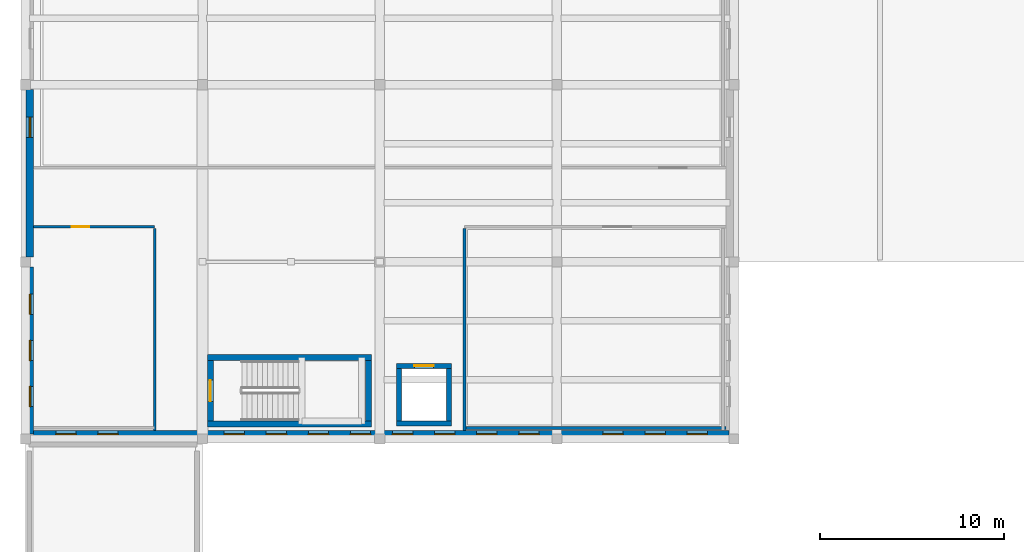
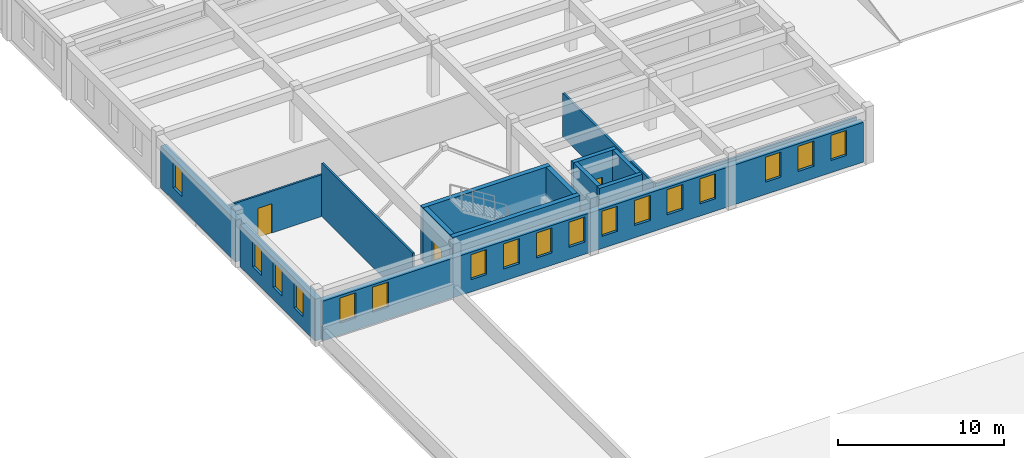
# One storey, part 15 of 46: 17 windows, 15 walls, 3 doors, 20 openings.
"""IFC4 building model written with IfcOpenShell, lengths in metres."""

from ifc_helpers import new_model, si_unit, direction, frame, frame_2d, origin, place, context, subcontext, project, spatial, rectangle, extrude, material, layer, layer_set, type_object, element, fill, save


model = new_model("IFC4")

# Units and contexts
model_context = context("Model", 3, precision=1e-05, world=origin(), true_north=direction((0.0, 1.0)))
body_context = subcontext(model_context, "Body", "Model", "MODEL_VIEW")
ifc_project = project(units=[si_unit("LENGTHUNIT", "METRE"), si_unit("AREAUNIT", "SQUARE_METRE"), si_unit("VOLUMEUNIT", "CUBIC_METRE"), si_unit("PLANEANGLEUNIT", "RADIAN"), si_unit("MASSUNIT", "GRAM", prefix="KILO")], contexts=[model_context])

# Site, building, storey
site_placement = place(None, origin())
site = spatial("IfcSite", under=ifc_project, at=site_placement, CompositionType="ELEMENT")
building_placement = place(site_placement, origin())
building = spatial("IfcBuilding", under=site, at=building_placement, Name="Tarnavel Promenade Courthouse", CompositionType="ELEMENT")
storey_placement = place(building_placement, frame((0.0, 0.0, 14.39990234375)))
storey = spatial("IfcBuildingStorey", under=building, at=storey_placement, Name="L04", CompositionType="ELEMENT", Elevation=14.39990234375)

# Walls
ifc_material_1 = material(Name="Acoustic Insulated Gypsum Stud Partition", Category="gypsum")
ifc_layer_1 = layer(ifc_material_1, 0.14990234375)
ifc_layer_set_1 = layer_set([ifc_layer_1], Name="Acoustic Insulated Gypsum Stud Partition")
wall_type_1 = type_object("IfcWallType", Name="Acoustic Insulated Gypsum Stud Partition WL-LIB-150 (150 mm)", PredefinedType="PARTITIONING", material=ifc_layer_set_1)
wall_1_placement = place(storey_placement, frame((37.9609375, 37.800048828125, 0.0), z_axis=(0.0, 0.0, 1.0), x_axis=(-1.0, 0.0, 0.0)))
element("IfcWall", 1, at=wall_1_placement, inside=storey, type_object=wall_type_1, Name="L04 Law Library Book Stacks International Treaties Partition 0613", PredefinedType="PARTITIONING", context=body_context, shape_type="SweptSolid", body=[
    extrude(rectangle(XDim=14.160888671875, YDim=0.14990234375, at=frame_2d((7.08056640625, 0.0))), origin(), (0.0, 0.0, 1.0), 3.080078125),
])
wall_2_placement = place(storey_placement, frame((23.800048828125, 37.64892578125, 0.0), z_axis=(0.0, 0.0, 1.0), x_axis=(0.0, 1.0, 0.0)))
element("IfcWall", 2, at=wall_2_placement, inside=storey, type_object=wall_type_1, Name="L04 Law Library Book Stacks International Treaties Partition 0614", PredefinedType="PARTITIONING", context=body_context, shape_type="SweptSolid", body=[
    extrude(rectangle(XDim=10.966064453125, YDim=0.14990234375, at=frame_2d((5.48291015625, 0.0))), origin(), (0.0, 0.0, 1.0), 3.22998046875),
])

# Wall, opening, door
ifc_material_2 = material(Name="Concrete C40/50", Category="concrete")
ifc_layer_2 = layer(ifc_material_2, 0.280029296875)
ifc_layer_set_2 = layer_set([ifc_layer_2], Name="Concrete C40/50")
wall_type_2 = type_object("IfcWallType", Name="Concrete C40/50 WL-SHR-280 (280 mm)", PredefinedType="SHEAR", material=ifc_layer_set_2)
wall_3_placement = place(storey_placement, frame((20.10009765625, 41.159912109375, 0.0), z_axis=(0.0, 0.0, 1.0), x_axis=(1.0, 0.0, 0.0)))
wall_3 = element("IfcWall", 3, at=wall_3_placement, inside=storey, type_object=wall_type_2, Name="L04 L-LIB1 Lift Shaft North Wall", PredefinedType="SHEAR", context=body_context, shape_type="SweptSolid", body=[
    extrude(rectangle(XDim=3.0, YDim=0.280029296875, at=frame_2d((1.5, 0.0))), origin(), (0.0, 0.0, 1.0), 3.960205078125),
])
opening_1_placement = place(wall_3_placement, frame((0.97509765625, 0.0, 0.0)))
opening_1 = element("IfcOpeningElement", 4, at=opening_1_placement, cuts=wall_3, Name="Opening LD-02", PredefinedType="OPENING", context=body_context, shape_type="SweptSolid", body=[
    extrude(rectangle(XDim=1.050048828125, YDim=2.199951171875, at=frame_2d((0.52490234375, 1.10009765625))), frame((0.0, 0.14990234375, 0.0), z_axis=(0.0, -1.0, 0.0), x_axis=(1.0, 0.0, 0.0)), (0.0, 0.0, 1.0), 0.300048828125),
])
ifc_material_3 = material(Name="Brushed Bronze Passenger Lift Landing Sliding Door")
door_type_1 = type_object("IfcDoorType", Name="Brushed Bronze Passenger Lift Landing Sliding Door (LD-PUB-1050x2200)", OperationType="NOTDEFINED", PredefinedType="DOOR", material=ifc_material_3)
door_1_placement = place(opening_1_placement, origin())
door_1 = element("IfcDoor", 5, at=door_1_placement, inside=storey, type_object=door_type_1, Name="L04 L-LIB1 Lift Sliding Landing Door", OperationType="DOUBLE_DOOR_SLIDING", OverallHeight=2.199951171875, OverallWidth=1.050048828125, PredefinedType="DOOR", context=body_context, shape_type="SweptSolid", body=[
    extrude(rectangle(XDim=1.050048828125, YDim=2.199951171875, at=frame_2d((0.52490234375, 1.10009765625))), frame((0.0, 0.02490234375, 0.0), z_axis=(0.0, -1.0, 0.0), x_axis=(1.0, 0.0, 0.0)), (0.0, 0.0, 1.0), 0.050048828125),
])
fill(opening_1, door_1)

# Walls
wall_4_placement = place(storey_placement, frame((23.10009765625, 38.0400390625, 0.0), z_axis=(0.0, 0.0, 1.0), x_axis=(-1.0, 0.0, 0.0)))
element("IfcWall", 6, at=wall_4_placement, inside=storey, type_object=wall_type_2, Name="L04 L-LIB1 Lift Shaft South Wall", PredefinedType="SHEAR", context=body_context, shape_type="SweptSolid", body=[
    extrude(rectangle(XDim=3.0, YDim=0.280029296875, at=frame_2d((1.5, 0.0))), origin(), (0.0, 0.0, 1.0), 3.960205078125),
])
for number, where, z_axis, x_axis, name in (
    (7, (20.239990234375, 38.179931640625, 0.0), (0.0, 0.0, 1.0), (0.0, 1.0, 0.0), "L04 L-LIB1 Lift Shaft West Wall"),
    (8, (22.9599609375, 41.02001953125, 0.0), (0.0, 0.0, 1.0), (0.0, -1.0, 0.0), "L04 L-LIB1 Lift Shaft East Wall"),
):
    element("IfcWall", number, at=place(storey_placement, frame(where, z_axis=z_axis, x_axis=x_axis)), inside=storey, type_object=wall_type_2, Name=name, PredefinedType="SHEAR", context=body_context, shape_type="SweptSolid", body=[
        extrude(rectangle(XDim=2.840087890625, YDim=0.280029296875, at=frame_2d((1.419921875, 0.0))), origin(), (0.0, 0.0, 1.0), 3.960205078125),
    ])
ifc_layer_3 = layer(ifc_material_2, 0.320068359375)
ifc_layer_set_3 = layer_set([ifc_layer_3], Name="Concrete C40/50")
wall_type_3 = type_object("IfcWallType", Name="Concrete C40/50 WL-SHR-320 (320 mm)", PredefinedType="SHEAR", material=ifc_layer_set_3)
for number, where, z_axis, x_axis, name in (
    (9, (9.860107421875, 41.6201171875, 0.0), (0.0, 0.0, 1.0), (1.0, 0.0, 0.0), "L04 ST-05 Shear Core North Wall"),
    (10, (18.739990234375, 38.02001953125, 0.0), (0.0, 0.0, 1.0), (-1.0, 0.0, 0.0), "L04 ST-05 Shear Core South Wall"),
):
    element("IfcWall", number, at=place(storey_placement, frame(where, z_axis=z_axis, x_axis=x_axis)), inside=storey, type_object=wall_type_3, Name=name, PredefinedType="SHEAR", context=body_context, shape_type="SweptSolid", body=[
        extrude(rectangle(XDim=8.8798828125, YDim=0.320068359375, at=frame_2d((4.43994140625, 0.0))), origin(), (0.0, 0.0, 1.0), 3.960205078125),
    ])

# Wall, opening, door
wall_5_placement = place(storey_placement, frame((10.02001953125, 38.179931640625, 0.0), z_axis=(0.0, 0.0, 1.0), x_axis=(0.0, 1.0, 0.0)))
wall_5 = element("IfcWall", 11, at=wall_5_placement, inside=storey, type_object=wall_type_3, Name="L04 ST-05 Shear Core West Landing Wall", PredefinedType="SHEAR", context=body_context, shape_type="SweptSolid", body=[
    extrude(rectangle(XDim=3.280029296875, YDim=0.320068359375, at=frame_2d((1.64013671875, 0.0))), origin(), (0.0, 0.0, 1.0), 3.960205078125),
])
opening_2_placement = place(wall_5_placement, frame((1.06494140625, 0.0, 0.0)))
opening_2 = element("IfcOpeningElement", 12, at=opening_2_placement, cuts=wall_5, Name="Opening FD-01", PredefinedType="OPENING", context=body_context, shape_type="SweptSolid", body=[
    extrude(rectangle(XDim=1.14990234375, YDim=2.199951171875, at=frame_2d((0.574951171875, 1.10009765625))), frame((0.0, 0.169921875, 0.0), z_axis=(0.0, -1.0, 0.0), x_axis=(1.0, 0.0, 0.0)), (0.0, 0.0, 1.0), 0.340087890625),
])
ifc_material_4 = material(Name="Steel Fire-Rated Stair Core Door", Category="steel")
door_type_2 = type_object("IfcDoorType", Name="Steel Fire-Rated Stair Core Door (DR-ST-1150x2200)", OperationType="NOTDEFINED", PredefinedType="DOOR", material=ifc_material_4)
door_2_placement = place(opening_2_placement, origin())
door_2 = element("IfcDoor", 13, at=door_2_placement, inside=storey, type_object=door_type_2, Name="L04 ST-05 Protected Exit Stair Door", OperationType="SINGLE_SWING_LEFT", OverallHeight=2.199951171875, OverallWidth=1.14990234375, PredefinedType="DOOR", context=body_context, shape_type="SweptSolid", body=[
    extrude(rectangle(XDim=1.14990234375, YDim=2.199951171875, at=frame_2d((0.574951171875, 1.10009765625))), frame((0.0, 0.02490234375, 0.0), z_axis=(0.0, -1.0, 0.0), x_axis=(1.0, 0.0, 0.0)), (0.0, 0.0, 1.0), 0.050048828125),
])
fill(opening_2, door_2)

# Wall
wall_6_placement = place(storey_placement, frame((18.580078125, 41.4599609375, 0.0), z_axis=(0.0, 0.0, 1.0), x_axis=(0.0, -1.0, 0.0)))
element("IfcWall", 14, at=wall_6_placement, inside=storey, type_object=wall_type_3, Name="L04 ST-05 Shear Core East Wall", PredefinedType="SHEAR", context=body_context, shape_type="SweptSolid", body=[
    extrude(rectangle(XDim=3.280029296875, YDim=0.320068359375, at=frame_2d((1.64013671875, 0.0))), origin(), (0.0, 0.0, 1.0), 3.960205078125),
])

# Wall, openings, windows
ifc_material_5 = material(Name="Cream Brick Insulated Cavity Facade Assembly", Category="masonry")
ifc_layer_4 = layer(ifc_material_5, 0.409912109375)
ifc_layer_set_4 = layer_set([ifc_layer_4], Name="Cream Brick Insulated Cavity Facade Assembly")
wall_type_4 = type_object("IfcWallType", Name="Cream Brick Insulated Cavity Facade Assembly WL-EXT-410 (410 mm)", PredefinedType="STANDARD", material=ifc_layer_set_4)
wall_7_placement = place(storey_placement, frame((0.239990234375, 37.467041015625, 0.0), z_axis=(0.0, 0.0, 1.0), x_axis=(0.0, 1.0, 0.0)))
wall_7 = element("IfcWall", 15, at=wall_7_placement, inside=storey, type_object=wall_type_4, Name="L04 Law Library West Brick Facade 0346", PredefinedType="STANDARD", context=body_context, shape_type="SweptSolid", body=[
    extrude(rectangle(XDim=9.06591796875, YDim=0.409912109375, at=frame_2d((4.532958984375, 0.0))), origin(), (0.0, 0.0, 1.0), 3.080078125),
])
opening_3_placement = place(wall_7_placement, frame((1.48291015625, 0.0, 0.89990234375)))
opening_3 = element("IfcOpeningElement", 16, at=opening_3_placement, cuts=wall_7, Name="Opening W-07", PredefinedType="OPENING", context=body_context, shape_type="SweptSolid", body=[
    extrude(rectangle(XDim=1.10009765625, YDim=1.85009765625, at=frame_2d((0.550048828125, 0.925048828125))), frame((0.0, 0.21484375, 0.0), z_axis=(0.0, -1.0, 0.0), x_axis=(1.0, 0.0, 0.0)), (0.0, 0.0, 1.0), 0.429931640625),
])
opening_4_placement = place(wall_7_placement, frame((3.98291015625, 0.0, 0.89990234375)))
opening_4 = element("IfcOpeningElement", 17, at=opening_4_placement, cuts=wall_7, Name="Opening W-07", PredefinedType="OPENING", context=body_context, shape_type="SweptSolid", body=[
    extrude(rectangle(XDim=1.10009765625, YDim=1.85009765625, at=frame_2d((0.550048828125, 0.925048828125))), frame((0.0, 0.21484375, 0.0), z_axis=(0.0, -1.0, 0.0), x_axis=(1.0, 0.0, 0.0)), (0.0, 0.0, 1.0), 0.429931640625),
])
opening_5_placement = place(wall_7_placement, frame((6.48291015625, 0.0, 0.89990234375)))
opening_5 = element("IfcOpeningElement", 18, at=opening_5_placement, cuts=wall_7, Name="Opening W-07", PredefinedType="OPENING", context=body_context, shape_type="SweptSolid", body=[
    extrude(rectangle(XDim=1.10009765625, YDim=1.85009765625, at=frame_2d((0.550048828125, 0.925048828125))), frame((0.0, 0.21484375, 0.0), z_axis=(0.0, -1.0, 0.0), x_axis=(1.0, 0.0, 0.0)), (0.0, 0.0, 1.0), 0.429931640625),
])
ifc_material_6 = material(Name="Triple Low-E Glazed Bronze-Clad Window Assembly")
window_type = type_object("IfcWindowType", Name="Triple-Glazed Bronze-Clad Timber-Aluminium WIN-LIB-1100x1850", PartitioningType="SINGLE_PANEL", PredefinedType="WINDOW", material=ifc_material_6)
window_1_placement = place(opening_3_placement, origin())
window_1 = element("IfcWindow", 19, at=window_1_placement, inside=storey, type_object=window_type, Name="L04 Exterior Window 0407", OverallHeight=1.85009765625, OverallWidth=1.10009765625, PartitioningType="SINGLE_PANEL", PredefinedType="WINDOW", context=body_context, shape_type="SweptSolid", body=[
    extrude(rectangle(XDim=1.10009765625, YDim=1.85009765625, at=frame_2d((0.550048828125, 0.925048828125))), frame((0.0, 0.030029296875, 0.0), z_axis=(0.0, -1.0, 0.0), x_axis=(1.0, 0.0, 0.0)), (0.0, 0.0, 1.0), 0.06005859375),
])
fill(opening_3, window_1)
window_2_placement = place(opening_4_placement, origin())
window_2 = element("IfcWindow", 20, at=window_2_placement, inside=storey, type_object=window_type, Name="L04 Exterior Window 0408", OverallHeight=1.85009765625, OverallWidth=1.10009765625, PartitioningType="SINGLE_PANEL", PredefinedType="WINDOW", context=body_context, shape_type="SweptSolid", body=[
    extrude(rectangle(XDim=1.10009765625, YDim=1.85009765625, at=frame_2d((0.550048828125, 0.925048828125))), frame((0.0, 0.030029296875, 0.0), z_axis=(0.0, -1.0, 0.0), x_axis=(1.0, 0.0, 0.0)), (0.0, 0.0, 1.0), 0.06005859375),
])
fill(opening_4, window_2)
window_3_placement = place(opening_5_placement, origin())
window_3 = element("IfcWindow", 21, at=window_3_placement, inside=storey, type_object=window_type, Name="L04 Exterior Window 0409", OverallHeight=1.85009765625, OverallWidth=1.10009765625, PartitioningType="SINGLE_PANEL", PredefinedType="WINDOW", context=body_context, shape_type="SweptSolid", body=[
    extrude(rectangle(XDim=1.10009765625, YDim=1.85009765625, at=frame_2d((0.550048828125, 0.925048828125))), frame((0.0, 0.030029296875, 0.0), z_axis=(0.0, -1.0, 0.0), x_axis=(1.0, 0.0, 0.0)), (0.0, 0.0, 1.0), 0.06005859375),
])
fill(opening_5, window_3)

# Wall, opening, window
wall_8_placement = place(storey_placement, frame((0.239990234375, 47.06689453125, 0.0), z_axis=(0.0, 0.0, 1.0), x_axis=(0.0, 1.0, 0.0)))
wall_8 = element("IfcWall", 22, at=wall_8_placement, inside=storey, type_object=wall_type_4, Name="L04 Law Library West Brick Facade 0347", PredefinedType="STANDARD", context=body_context, shape_type="SweptSolid", body=[
    extrude(rectangle(XDim=9.066162109375, YDim=0.409912109375, at=frame_2d((4.533203125, 0.0))), origin(), (0.0, 0.0, 1.0), 3.080078125),
])
opening_6_placement = place(wall_8_placement, frame((6.48291015625, 0.0, 0.89990234375)))
opening_6 = element("IfcOpeningElement", 23, at=opening_6_placement, cuts=wall_8, Name="Opening W-07", PredefinedType="OPENING", context=body_context, shape_type="SweptSolid", body=[
    extrude(rectangle(XDim=1.10009765625, YDim=1.85009765625, at=frame_2d((0.550048828125, 0.925048828125))), frame((0.0, 0.21484375, 0.0), z_axis=(0.0, -1.0, 0.0), x_axis=(1.0, 0.0, 0.0)), (0.0, 0.0, 1.0), 0.429931640625),
])
window_4_placement = place(opening_6_placement, origin())
window_4 = element("IfcWindow", 24, at=window_4_placement, inside=storey, type_object=window_type, Name="L04 Exterior Window 0410", OverallHeight=1.85009765625, OverallWidth=1.10009765625, PartitioningType="SINGLE_PANEL", PredefinedType="WINDOW", context=body_context, shape_type="SweptSolid", body=[
    extrude(rectangle(XDim=1.10009765625, YDim=1.85009765625, at=frame_2d((0.550048828125, 0.925048828125))), frame((0.0, 0.030029296875, 0.0), z_axis=(0.0, -1.0, 0.0), x_axis=(1.0, 0.0, 0.0)), (0.0, 0.0, 1.0), 0.06005859375),
])
fill(opening_6, window_4)

# Wall, openings, windows
wall_9_placement = place(storey_placement, frame((38.133056640625, 37.449951171875, 0.0), z_axis=(0.0, 0.0, 1.0), x_axis=(-1.0, 0.0, 0.0)))
wall_9 = element("IfcWall", 25, at=wall_9_placement, inside=storey, type_object=wall_type_4, Name="L04 L04 Law Library South Facade 0451", PredefinedType="STANDARD", context=body_context, shape_type="SweptSolid", body=[
    extrude(rectangle(XDim=37.696044921875, YDim=0.409912109375, at=frame_2d((18.84814453125, 0.0))), origin(), (0.0, 0.0, 1.0), 2.93017578125),
])
opening_7_placement = place(wall_9_placement, frame((1.173583984375, 0.0, 0.89990234375)))
opening_7 = element("IfcOpeningElement", 26, at=opening_7_placement, cuts=wall_9, Name="Opening W-07", PredefinedType="OPENING", context=body_context, shape_type="SweptSolid", body=[
    extrude(rectangle(XDim=1.10009765625, YDim=1.85009765625, at=frame_2d((0.550048828125, 0.925048828125))), frame((0.0, 0.21484375, 0.0), z_axis=(0.0, -1.0, 0.0), x_axis=(1.0, 0.0, 0.0)), (0.0, 0.0, 1.0), 0.429931640625),
])
opening_8_placement = place(wall_9_placement, frame((3.454833984375, 0.0, 0.89990234375)))
opening_8 = element("IfcOpeningElement", 27, at=opening_8_placement, cuts=wall_9, Name="Opening W-07", PredefinedType="OPENING", context=body_context, shape_type="SweptSolid", body=[
    extrude(rectangle(XDim=1.10009765625, YDim=1.85009765625, at=frame_2d((0.550048828125, 0.925048828125))), frame((0.0, 0.21484375, 0.0), z_axis=(0.0, -1.0, 0.0), x_axis=(1.0, 0.0, 0.0)), (0.0, 0.0, 1.0), 0.429931640625),
])
opening_9_placement = place(wall_9_placement, frame((5.736083984375, 0.0, 0.89990234375)))
opening_9 = element("IfcOpeningElement", 28, at=opening_9_placement, cuts=wall_9, Name="Opening W-07", PredefinedType="OPENING", context=body_context, shape_type="SweptSolid", body=[
    extrude(rectangle(XDim=1.10009765625, YDim=1.85009765625, at=frame_2d((0.550048828125, 0.925048828125))), frame((0.0, 0.21484375, 0.0), z_axis=(0.0, -1.0, 0.0), x_axis=(1.0, 0.0, 0.0)), (0.0, 0.0, 1.0), 0.429931640625),
])
opening_10_placement = place(wall_9_placement, frame((10.298583984375, 0.0, 0.89990234375)))
opening_10 = element("IfcOpeningElement", 29, at=opening_10_placement, cuts=wall_9, Name="Opening W-07", PredefinedType="OPENING", context=body_context, shape_type="SweptSolid", body=[
    extrude(rectangle(XDim=1.10009765625, YDim=1.85009765625, at=frame_2d((0.550048828125, 0.925048828125))), frame((0.0, 0.21484375, 0.0), z_axis=(0.0, -1.0, 0.0), x_axis=(1.0, 0.0, 0.0)), (0.0, 0.0, 1.0), 0.429931640625),
])
opening_11_placement = place(wall_9_placement, frame((12.579833984375, 0.0, 0.89990234375)))
opening_11 = element("IfcOpeningElement", 30, at=opening_11_placement, cuts=wall_9, Name="Opening W-07", PredefinedType="OPENING", context=body_context, shape_type="SweptSolid", body=[
    extrude(rectangle(XDim=1.10009765625, YDim=1.85009765625, at=frame_2d((0.550048828125, 0.925048828125))), frame((0.0, 0.21484375, 0.0), z_axis=(0.0, -1.0, 0.0), x_axis=(1.0, 0.0, 0.0)), (0.0, 0.0, 1.0), 0.429931640625),
])
opening_12_placement = place(wall_9_placement, frame((14.861083984375, 0.0, 0.89990234375)))
opening_12 = element("IfcOpeningElement", 31, at=opening_12_placement, cuts=wall_9, Name="Opening W-07", PredefinedType="OPENING", context=body_context, shape_type="SweptSolid", body=[
    extrude(rectangle(XDim=1.10009765625, YDim=1.85009765625, at=frame_2d((0.550048828125, 0.925048828125))), frame((0.0, 0.21484375, 0.0), z_axis=(0.0, -1.0, 0.0), x_axis=(1.0, 0.0, 0.0)), (0.0, 0.0, 1.0), 0.429931640625),
])
opening_13_placement = place(wall_9_placement, frame((17.142333984375, 0.0, 0.89990234375)))
opening_13 = element("IfcOpeningElement", 32, at=opening_13_placement, cuts=wall_9, Name="Opening W-07", PredefinedType="OPENING", context=body_context, shape_type="SweptSolid", body=[
    extrude(rectangle(XDim=1.10009765625, YDim=1.85009765625, at=frame_2d((0.550048828125, 0.925048828125))), frame((0.0, 0.21484375, 0.0), z_axis=(0.0, -1.0, 0.0), x_axis=(1.0, 0.0, 0.0)), (0.0, 0.0, 1.0), 0.429931640625),
])
opening_14_placement = place(wall_9_placement, frame((19.423583984375, 0.0, 0.89990234375)))
opening_14 = element("IfcOpeningElement", 33, at=opening_14_placement, cuts=wall_9, Name="Opening W-07", PredefinedType="OPENING", context=body_context, shape_type="SweptSolid", body=[
    extrude(rectangle(XDim=1.10009765625, YDim=1.85009765625, at=frame_2d((0.550048828125, 0.925048828125))), frame((0.0, 0.21484375, 0.0), z_axis=(0.0, -1.0, 0.0), x_axis=(1.0, 0.0, 0.0)), (0.0, 0.0, 1.0), 0.429931640625),
])
opening_15_placement = place(wall_9_placement, frame((21.704833984375, 0.0, 0.89990234375)))
opening_15 = element("IfcOpeningElement", 34, at=opening_15_placement, cuts=wall_9, Name="Opening W-07", PredefinedType="OPENING", context=body_context, shape_type="SweptSolid", body=[
    extrude(rectangle(XDim=1.10009765625, YDim=1.85009765625, at=frame_2d((0.550048828125, 0.925048828125))), frame((0.0, 0.21484375, 0.0), z_axis=(0.0, -1.0, 0.0), x_axis=(1.0, 0.0, 0.0)), (0.0, 0.0, 1.0), 0.429931640625),
])
opening_16_placement = place(wall_9_placement, frame((23.986083984375, 0.0, 0.89990234375)))
opening_16 = element("IfcOpeningElement", 35, at=opening_16_placement, cuts=wall_9, Name="Opening W-07", PredefinedType="OPENING", context=body_context, shape_type="SweptSolid", body=[
    extrude(rectangle(XDim=1.10009765625, YDim=1.85009765625, at=frame_2d((0.550048828125, 0.925048828125))), frame((0.0, 0.21484375, 0.0), z_axis=(0.0, -1.0, 0.0), x_axis=(1.0, 0.0, 0.0)), (0.0, 0.0, 1.0), 0.429931640625),
])
opening_17_placement = place(wall_9_placement, frame((26.267333984375, 0.0, 0.89990234375)))
opening_17 = element("IfcOpeningElement", 36, at=opening_17_placement, cuts=wall_9, Name="Opening W-07", PredefinedType="OPENING", context=body_context, shape_type="SweptSolid", body=[
    extrude(rectangle(XDim=1.10009765625, YDim=1.85009765625, at=frame_2d((0.550048828125, 0.925048828125))), frame((0.0, 0.21484375, 0.0), z_axis=(0.0, -1.0, 0.0), x_axis=(1.0, 0.0, 0.0)), (0.0, 0.0, 1.0), 0.429931640625),
])
opening_18_placement = place(wall_9_placement, frame((33.111083984375, 0.0, 0.89990234375)))
opening_18 = element("IfcOpeningElement", 37, at=opening_18_placement, cuts=wall_9, Name="Opening W-07", PredefinedType="OPENING", context=body_context, shape_type="SweptSolid", body=[
    extrude(rectangle(XDim=1.10009765625, YDim=1.85009765625, at=frame_2d((0.550048828125, 0.925048828125))), frame((0.0, 0.21484375, 0.0), z_axis=(0.0, -1.0, 0.0), x_axis=(1.0, 0.0, 0.0)), (0.0, 0.0, 1.0), 0.429931640625),
])
opening_19_placement = place(wall_9_placement, frame((35.392333984375, 0.0, 0.89990234375)))
opening_19 = element("IfcOpeningElement", 38, at=opening_19_placement, cuts=wall_9, Name="Opening W-07", PredefinedType="OPENING", context=body_context, shape_type="SweptSolid", body=[
    extrude(rectangle(XDim=1.10009765625, YDim=1.85009765625, at=frame_2d((0.550048828125, 0.925048828125))), frame((0.0, 0.21484375, 0.0), z_axis=(0.0, -1.0, 0.0), x_axis=(1.0, 0.0, 0.0)), (0.0, 0.0, 1.0), 0.429931640625),
])
window_5_placement = place(opening_7_placement, origin())
window_5 = element("IfcWindow", 39, at=window_5_placement, inside=storey, type_object=window_type, Name="L04 Exterior Window 0579", OverallHeight=1.85009765625, OverallWidth=1.10009765625, PartitioningType="SINGLE_PANEL", PredefinedType="WINDOW", context=body_context, shape_type="SweptSolid", body=[
    extrude(rectangle(XDim=1.10009765625, YDim=1.85009765625, at=frame_2d((0.550048828125, 0.925048828125))), frame((0.0, 0.030029296875, 0.0), z_axis=(0.0, -1.0, 0.0), x_axis=(1.0, 0.0, 0.0)), (0.0, 0.0, 1.0), 0.06005859375),
])
fill(opening_7, window_5)
window_6_placement = place(opening_8_placement, origin())
window_6 = element("IfcWindow", 40, at=window_6_placement, inside=storey, type_object=window_type, Name="L04 Exterior Window 0580", OverallHeight=1.85009765625, OverallWidth=1.10009765625, PartitioningType="SINGLE_PANEL", PredefinedType="WINDOW", context=body_context, shape_type="SweptSolid", body=[
    extrude(rectangle(XDim=1.10009765625, YDim=1.85009765625, at=frame_2d((0.550048828125, 0.925048828125))), frame((0.0, 0.030029296875, 0.0), z_axis=(0.0, -1.0, 0.0), x_axis=(1.0, 0.0, 0.0)), (0.0, 0.0, 1.0), 0.06005859375),
])
fill(opening_8, window_6)
window_7_placement = place(opening_9_placement, origin())
window_7 = element("IfcWindow", 41, at=window_7_placement, inside=storey, type_object=window_type, Name="L04 Exterior Window 0581", OverallHeight=1.85009765625, OverallWidth=1.10009765625, PartitioningType="SINGLE_PANEL", PredefinedType="WINDOW", context=body_context, shape_type="SweptSolid", body=[
    extrude(rectangle(XDim=1.10009765625, YDim=1.85009765625, at=frame_2d((0.550048828125, 0.925048828125))), frame((0.0, 0.030029296875, 0.0), z_axis=(0.0, -1.0, 0.0), x_axis=(1.0, 0.0, 0.0)), (0.0, 0.0, 1.0), 0.06005859375),
])
fill(opening_9, window_7)
window_8_placement = place(opening_10_placement, origin())
window_8 = element("IfcWindow", 42, at=window_8_placement, inside=storey, type_object=window_type, Name="L04 Exterior Window 0582", OverallHeight=1.85009765625, OverallWidth=1.10009765625, PartitioningType="SINGLE_PANEL", PredefinedType="WINDOW", context=body_context, shape_type="SweptSolid", body=[
    extrude(rectangle(XDim=1.10009765625, YDim=1.85009765625, at=frame_2d((0.550048828125, 0.925048828125))), frame((0.0, 0.030029296875, 0.0), z_axis=(0.0, -1.0, 0.0), x_axis=(1.0, 0.0, 0.0)), (0.0, 0.0, 1.0), 0.06005859375),
])
fill(opening_10, window_8)
window_9_placement = place(opening_11_placement, origin())
window_9 = element("IfcWindow", 43, at=window_9_placement, inside=storey, type_object=window_type, Name="L04 Exterior Window 0583", OverallHeight=1.85009765625, OverallWidth=1.10009765625, PartitioningType="SINGLE_PANEL", PredefinedType="WINDOW", context=body_context, shape_type="SweptSolid", body=[
    extrude(rectangle(XDim=1.10009765625, YDim=1.85009765625, at=frame_2d((0.550048828125, 0.925048828125))), frame((0.0, 0.030029296875, 0.0), z_axis=(0.0, -1.0, 0.0), x_axis=(1.0, 0.0, 0.0)), (0.0, 0.0, 1.0), 0.06005859375),
])
fill(opening_11, window_9)
window_10_placement = place(opening_12_placement, origin())
window_10 = element("IfcWindow", 44, at=window_10_placement, inside=storey, type_object=window_type, Name="L04 Exterior Window 0584", OverallHeight=1.85009765625, OverallWidth=1.10009765625, PartitioningType="SINGLE_PANEL", PredefinedType="WINDOW", context=body_context, shape_type="SweptSolid", body=[
    extrude(rectangle(XDim=1.10009765625, YDim=1.85009765625, at=frame_2d((0.550048828125, 0.925048828125))), frame((0.0, 0.030029296875, 0.0), z_axis=(0.0, -1.0, 0.0), x_axis=(1.0, 0.0, 0.0)), (0.0, 0.0, 1.0), 0.06005859375),
])
fill(opening_12, window_10)
window_11_placement = place(opening_13_placement, origin())
window_11 = element("IfcWindow", 45, at=window_11_placement, inside=storey, type_object=window_type, Name="L04 Exterior Window 0585", OverallHeight=1.85009765625, OverallWidth=1.10009765625, PartitioningType="SINGLE_PANEL", PredefinedType="WINDOW", context=body_context, shape_type="SweptSolid", body=[
    extrude(rectangle(XDim=1.10009765625, YDim=1.85009765625, at=frame_2d((0.550048828125, 0.925048828125))), frame((0.0, 0.030029296875, 0.0), z_axis=(0.0, -1.0, 0.0), x_axis=(1.0, 0.0, 0.0)), (0.0, 0.0, 1.0), 0.06005859375),
])
fill(opening_13, window_11)
window_12_placement = place(opening_14_placement, origin())
window_12 = element("IfcWindow", 46, at=window_12_placement, inside=storey, type_object=window_type, Name="L04 Exterior Window 0586", OverallHeight=1.85009765625, OverallWidth=1.10009765625, PartitioningType="SINGLE_PANEL", PredefinedType="WINDOW", context=body_context, shape_type="SweptSolid", body=[
    extrude(rectangle(XDim=1.10009765625, YDim=1.85009765625, at=frame_2d((0.550048828125, 0.925048828125))), frame((0.0, 0.030029296875, 0.0), z_axis=(0.0, -1.0, 0.0), x_axis=(1.0, 0.0, 0.0)), (0.0, 0.0, 1.0), 0.06005859375),
])
fill(opening_14, window_12)
window_13_placement = place(opening_15_placement, origin())
window_13 = element("IfcWindow", 47, at=window_13_placement, inside=storey, type_object=window_type, Name="L04 Exterior Window 0587", OverallHeight=1.85009765625, OverallWidth=1.10009765625, PartitioningType="SINGLE_PANEL", PredefinedType="WINDOW", context=body_context, shape_type="SweptSolid", body=[
    extrude(rectangle(XDim=1.10009765625, YDim=1.85009765625, at=frame_2d((0.550048828125, 0.925048828125))), frame((0.0, 0.030029296875, 0.0), z_axis=(0.0, -1.0, 0.0), x_axis=(1.0, 0.0, 0.0)), (0.0, 0.0, 1.0), 0.06005859375),
])
fill(opening_15, window_13)
window_14_placement = place(opening_16_placement, origin())
window_14 = element("IfcWindow", 48, at=window_14_placement, inside=storey, type_object=window_type, Name="L04 Exterior Window 0588", OverallHeight=1.85009765625, OverallWidth=1.10009765625, PartitioningType="SINGLE_PANEL", PredefinedType="WINDOW", context=body_context, shape_type="SweptSolid", body=[
    extrude(rectangle(XDim=1.10009765625, YDim=1.85009765625, at=frame_2d((0.550048828125, 0.925048828125))), frame((0.0, 0.030029296875, 0.0), z_axis=(0.0, -1.0, 0.0), x_axis=(1.0, 0.0, 0.0)), (0.0, 0.0, 1.0), 0.06005859375),
])
fill(opening_16, window_14)
window_15_placement = place(opening_17_placement, origin())
window_15 = element("IfcWindow", 49, at=window_15_placement, inside=storey, type_object=window_type, Name="L04 Exterior Window 0589", OverallHeight=1.85009765625, OverallWidth=1.10009765625, PartitioningType="SINGLE_PANEL", PredefinedType="WINDOW", context=body_context, shape_type="SweptSolid", body=[
    extrude(rectangle(XDim=1.10009765625, YDim=1.85009765625, at=frame_2d((0.550048828125, 0.925048828125))), frame((0.0, 0.030029296875, 0.0), z_axis=(0.0, -1.0, 0.0), x_axis=(1.0, 0.0, 0.0)), (0.0, 0.0, 1.0), 0.06005859375),
])
fill(opening_17, window_15)
window_16_placement = place(opening_18_placement, origin())
window_16 = element("IfcWindow", 50, at=window_16_placement, inside=storey, type_object=window_type, Name="L04 Exterior Window 0590", OverallHeight=1.85009765625, OverallWidth=1.10009765625, PartitioningType="SINGLE_PANEL", PredefinedType="WINDOW", context=body_context, shape_type="SweptSolid", body=[
    extrude(rectangle(XDim=1.10009765625, YDim=1.85009765625, at=frame_2d((0.550048828125, 0.925048828125))), frame((0.0, 0.030029296875, 0.0), z_axis=(0.0, -1.0, 0.0), x_axis=(1.0, 0.0, 0.0)), (0.0, 0.0, 1.0), 0.06005859375),
])
fill(opening_18, window_16)
window_17_placement = place(opening_19_placement, origin())
window_17 = element("IfcWindow", 51, at=window_17_placement, inside=storey, type_object=window_type, Name="L04 Exterior Window 0591", OverallHeight=1.85009765625, OverallWidth=1.10009765625, PartitioningType="SINGLE_PANEL", PredefinedType="WINDOW", context=body_context, shape_type="SweptSolid", body=[
    extrude(rectangle(XDim=1.10009765625, YDim=1.85009765625, at=frame_2d((0.550048828125, 0.925048828125))), frame((0.0, 0.030029296875, 0.0), z_axis=(0.0, -1.0, 0.0), x_axis=(1.0, 0.0, 0.0)), (0.0, 0.0, 1.0), 0.06005859375),
])
fill(opening_19, window_17)

# Wall, opening, door
ifc_material_7 = material(Name="Metal-Stud Acoustic Gypsum Partition", Category="gypsum")
ifc_layer_5 = layer(ifc_material_7, 0.135009765625)
ifc_layer_set_5 = layer_set([ifc_layer_5], Name="Metal-Stud Acoustic Gypsum Partition")
wall_type_5 = type_object("IfcWallType", Name="Metal-Stud Acoustic Gypsum Partition WL-OFF-135 (135 mm)", PredefinedType="PARTITIONING", material=ifc_layer_set_5)
wall_10_placement = place(storey_placement, frame((0.43896484375, 48.699951171875, 0.0), z_axis=(0.0, 0.0, 1.0), x_axis=(1.0, 0.0, 0.0)))
wall_10 = element("IfcWall", 52, at=wall_10_placement, inside=storey, type_object=wall_type_5, Name="L04 L04 Legal Scholars' Study Carrels Partition 0609", PredefinedType="PARTITIONING", context=body_context, shape_type="SweptSolid", body=[
    extrude(rectangle(XDim=6.56103515625, YDim=0.135009765625, at=frame_2d((3.280517578125, 0.0))), origin(), (0.0, 0.0, 1.0), 3.080078125),
])
opening_20_placement = place(wall_10_placement, frame((2.06884765625, 0.0, 0.0)))
opening_20 = element("IfcOpeningElement", 53, at=opening_20_placement, cuts=wall_10, Name="Opening ID-06", PredefinedType="OPENING", context=body_context, shape_type="SweptSolid", body=[
    extrude(rectangle(XDim=0.949951171875, YDim=2.14990234375, at=frame_2d((0.47509765625, 1.074951171875))), frame((0.0, 0.077392578125, 0.0), z_axis=(0.0, -1.0, 0.0), x_axis=(1.0, 0.0, 0.0)), (0.0, 0.0, 1.0), 0.155029296875),
])
ifc_material_8 = material(Name="Acoustic Timber Veneer Office Door", Category="wood")
door_type_3 = type_object("IfcDoorType", Name="Acoustic Timber Veneer Office Door (DR-OFF-0950x2150)", OperationType="NOTDEFINED", PredefinedType="DOOR", material=ifc_material_8)
door_3_placement = place(opening_20_placement, origin())
door_3 = element("IfcDoor", 54, at=door_3_placement, inside=storey, type_object=door_type_3, Name="L04 L04 Legal Scholars' Study Carrels Door 0174", OperationType="SINGLE_SWING_LEFT", OverallHeight=2.14990234375, OverallWidth=0.949951171875, PredefinedType="DOOR", context=body_context, shape_type="SweptSolid", body=[
    extrude(rectangle(XDim=0.949951171875, YDim=2.14990234375, at=frame_2d((0.47509765625, 1.074951171875))), frame((0.0, 0.02490234375, 0.0), z_axis=(0.0, -1.0, 0.0), x_axis=(1.0, 0.0, 0.0)), (0.0, 0.0, 1.0), 0.050048828125),
])
fill(opening_20, door_3)

# Wall
wall_11_placement = place(storey_placement, frame((7.0, 48.62255859375, 0.0), z_axis=(0.0, 0.0, 1.0), x_axis=(0.0, -1.0, 0.0)))
element("IfcWall", 55, at=wall_11_placement, inside=storey, type_object=wall_type_5, Name="L04 L04 Legal Scholars' Study Carrels Partition 0611", PredefinedType="PARTITIONING", context=body_context, shape_type="SweptSolid", body=[
    extrude(rectangle(XDim=10.9736328125, YDim=0.135009765625, at=frame_2d((5.48681640625, 0.0))), origin(), (0.0, 0.0, 1.0), 3.945068359375),
])

save(model, "model.ifc")
